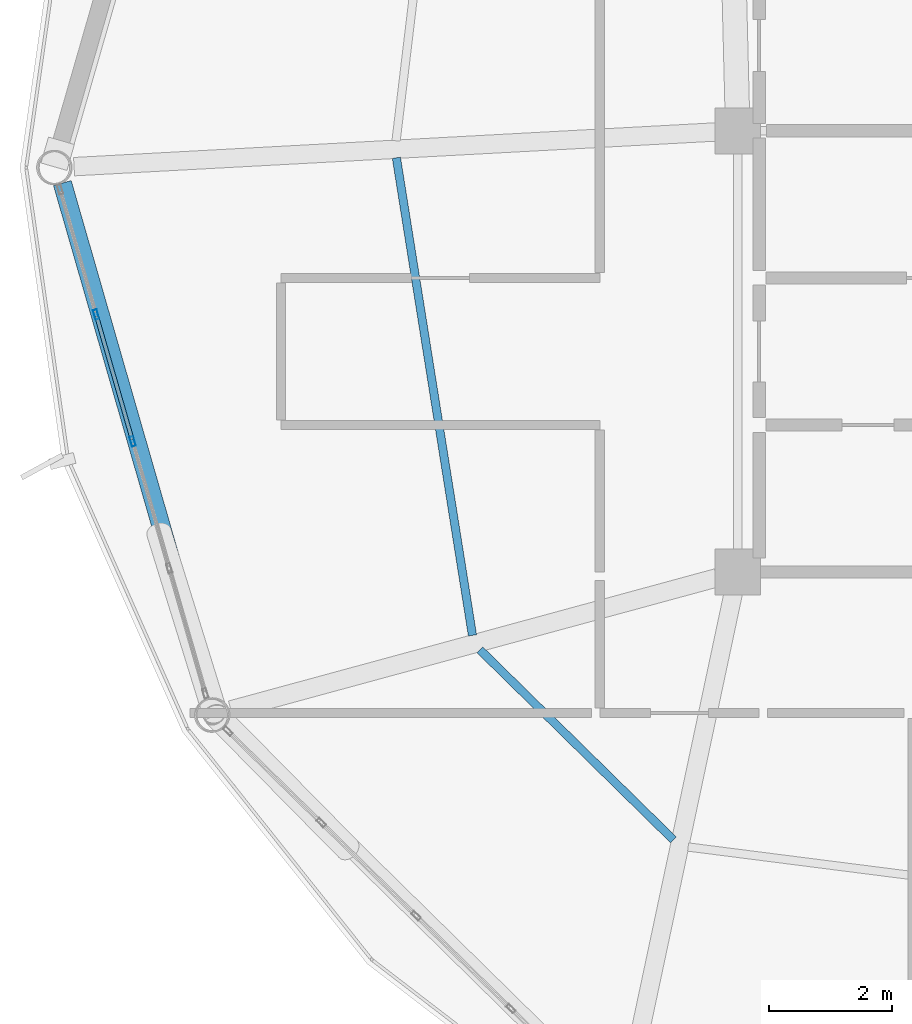
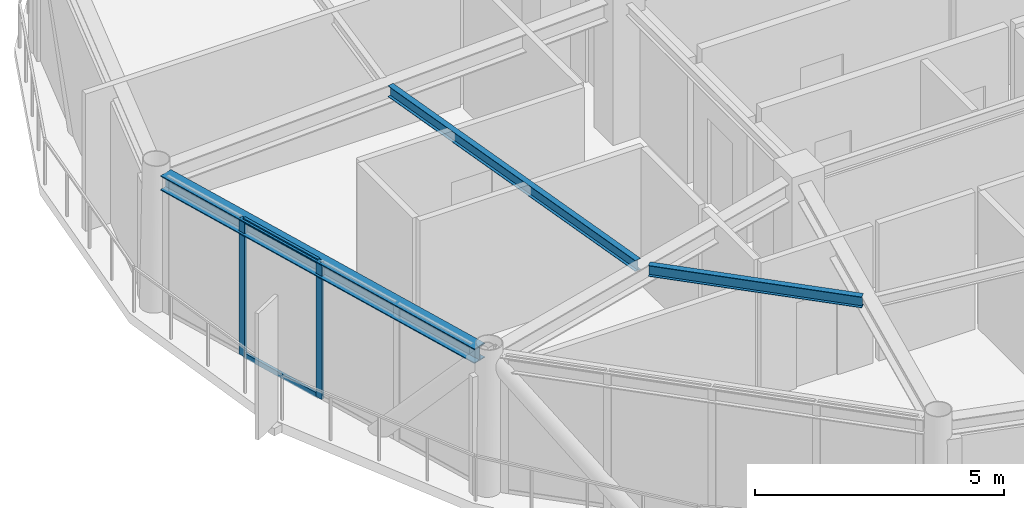
# One storey, part 5 of 26: 4 members, 3 beams, 1 element without a shape of its own.
"""IFC4 building model written with IfcOpenShell, lengths in metres."""

from ifc_helpers import new_model, si_unit, direction, frame, origin, origin_2d, place, context, subcontext, project, spatial, hollow_rectangle, i_section, extrude, material, layer, layer_set, material_profile, profile_set, type_object, element, aggregate, save


model = new_model("IFC4")

# Units and contexts
model_context = context("Model", 3, precision=1e-05, world=origin(), true_north=direction((0.0, 1.0)))
body_context = subcontext(model_context, "Body", "Model", "MODEL_VIEW")
ifc_project = project(units=[si_unit("LENGTHUNIT", "METRE"), si_unit("AREAUNIT", "SQUARE_METRE"), si_unit("VOLUMEUNIT", "CUBIC_METRE"), si_unit("PLANEANGLEUNIT", "RADIAN"), si_unit("MASSUNIT", "GRAM", prefix="KILO")], contexts=[model_context])

# Site, building, storey
site_placement = place(None, origin())
site = spatial("IfcSite", under=ifc_project, at=site_placement, CompositionType="ELEMENT")
building_placement = place(site_placement, origin())
building = spatial("IfcBuilding", under=site, at=building_placement, Name="Varnakorn Sky Granary", CompositionType="ELEMENT")
storey_placement = place(building_placement, frame((0.0, 0.0, 256.199951171875)))
storey = spatial("IfcBuildingStorey", under=building, at=storey_placement, Name="L65", CompositionType="ELEMENT", Elevation=256.199951171875)

# Beams
ifc_material_1 = material(Name="Steel S355JR", Category="steel")
ifc_material_profile_1 = material_profile(ifc_material_1, i_section(OverallWidth=0.135009765625, OverallDepth=0.27001953125, WebThickness=0.006591796875, FlangeThickness=0.01025390625, at=origin_2d()), Name="IPE 270")
ifc_profile_set_1 = profile_set([ifc_material_profile_1], Name="Steel S355JR")
beam_type_1 = type_object("IfcBeamType", Name="BM-SEC-Z5", PredefinedType="BEAM", material=ifc_profile_set_1)
beam_1_placement = place(storey_placement, frame((-7.919189453125, 0.1591796875, 3.22509765625), z_axis=(0.157314640111, -0.987548532482, 0.0), x_axis=(0.987548532482, 0.157314640111, 0.0)))
element("IfcBeam", 1, at=beam_1_placement, inside=storey, type_object=beam_type_1, Name="Secondary Floor Chord Beam MSB07 L65", PredefinedType="BEAM", context=body_context, shape_type="SweptSolid", body=[
    extrude(i_section(OverallWidth=0.135009765625, OverallDepth=0.27001953125, WebThickness=0.006591796875, FlangeThickness=0.01025390625, at=origin_2d()), origin(), (0.0, 0.0, 1.0), 7.889892578125),
])
beam_2_placement = place(storey_placement, frame((-6.555908203125, -7.868896484375, 3.22509765625), z_axis=(0.713504796152, -0.700650344942, 0.0), x_axis=(0.700650344942, 0.713504796152, 0.0)))
element("IfcBeam", 2, at=beam_2_placement, inside=storey, type_object=beam_type_1, Name="Secondary Floor Chord Beam MSB08 L65", PredefinedType="BEAM", context=body_context, shape_type="SweptSolid", body=[
    extrude(i_section(OverallWidth=0.135009765625, OverallDepth=0.27001953125, WebThickness=0.006591796875, FlangeThickness=0.01025390625, at=origin_2d()), origin(), (0.0, 0.0, 1.0), 4.42529296875),
])
ifc_material_profile_2 = material_profile(ifc_material_1, i_section(OverallWidth=0.300048828125, OverallDepth=0.360107421875, WebThickness=0.012451171875, FlangeThickness=0.0224609375, at=origin_2d()), Name="HE 360 B")
ifc_profile_set_2 = profile_set([ifc_material_profile_2], Name="Steel S355JR")
beam_type_2 = type_object("IfcBeamType", Name="BM-SPD-Z5", PredefinedType="SPANDREL", material=ifc_profile_set_2)
beam_3_placement = place(storey_placement, frame((-13.368896484375, -0.254150390625, 3.179931640625), z_axis=(0.276688121114, -0.960959772121, 0.0), x_axis=(0.960959772121, 0.276688121114, 0.0)))
element("IfcBeam", 3, at=beam_3_placement, inside=storey, type_object=beam_type_2, Name="Perimeter Spandrel Ring Beam RB07 L65", PredefinedType="SPANDREL", context=body_context, shape_type="SweptSolid", body=[
    extrude(i_section(OverallWidth=0.300048828125, OverallDepth=0.360107421875, WebThickness=0.012451171875, FlangeThickness=0.0224609375, at=origin_2d()), origin(), (0.0, 0.0, 1.0), 8.751220703125),
])

# Curtain wall, members
ifc_material_2 = material(Name="Anodised Bronze Aluminium Alloy 6063-T6", Category="aluminium")
ifc_layer = layer(ifc_material_2, 0.159912109375, Name="Anodised Bronze Aluminium Alloy 6063-T6")
ifc_layer_set = layer_set([ifc_layer], Name="Anodised Bronze Aluminium Alloy 6063-T6")
curtain_wall_type = type_object("IfcCurtainWallType", Name="CW-OFF-1", PredefinedType="USERDEFINED", material=ifc_layer_set)
curtain_wall_placement = place(storey_placement, origin())
curtain_wall = element("IfcCurtainWall", 4, at=curtain_wall_placement, inside=storey, type_object=curtain_wall_type, Name="Unitised Curtain Wall CW6 CW-L65-B07", ObjectType="CURTAIN WALL", PredefinedType="USERDEFINED")
ifc_material_profile_3 = material_profile(ifc_material_2, hollow_rectangle(XDim=0.06494140625, YDim=0.159912109375, WallThickness=0.00341796875, at=origin_2d()), Name="ALU MULL 65x160")
ifc_profile_set_3 = profile_set([ifc_material_profile_3], Name="Anodised Bronze Aluminium Alloy 6063-T6")
member_type_1 = type_object("IfcMemberType", Name="CW-OFF-1-MULL", PredefinedType="MULLION", material=ifc_profile_set_3)
member_1_placement = place(storey_placement, frame((-12.2216796875, -4.467529296875, 0.0), z_axis=(0.0, 0.0, 1.0), x_axis=(-0.960845569821, -0.277084447334, 0.0)))
member_1 = element("IfcMember", 5, at=member_1_placement, type_object=member_type_1, Name="CW6 mullion 3", PredefinedType="MULLION", context=body_context, shape_type="SweptSolid", body=[
    extrude(hollow_rectangle(XDim=0.06494140625, YDim=0.159912109375, WallThickness=0.00341796875, at=origin_2d()), origin(), (0.0, 0.0, 1.0), 3.360107421875),
])
member_2_placement = place(storey_placement, frame((-12.81884765625, -2.396728515625, 0.0), z_axis=(0.0, 0.0, 1.0), x_axis=(-0.960845569821, -0.277084447334, 0.0)))
member_2 = element("IfcMember", 6, at=member_2_placement, type_object=member_type_1, Name="CW6 mullion 4", PredefinedType="MULLION", context=body_context, shape_type="SweptSolid", body=[
    extrude(hollow_rectangle(XDim=0.06494140625, YDim=0.159912109375, WallThickness=0.00341796875, at=origin_2d()), origin(), (0.0, 0.0, 1.0), 3.360107421875),
])
ifc_material_profile_4 = material_profile(ifc_material_2, hollow_rectangle(XDim=0.06494140625, YDim=0.1201171875, WallThickness=0.00341796875, at=origin_2d()), Name="ALU TRAN 65x120")
ifc_profile_set_4 = profile_set([ifc_material_profile_4], Name="Anodised Bronze Aluminium Alloy 6063-T6")
member_type_2 = type_object("IfcMemberType", Name="CW-OFF-1-TRAN", PredefinedType="USERDEFINED", material=ifc_profile_set_4)
member_3_placement = place(storey_placement, frame((-12.230712890625, -4.436279296875, 0.032470703125), z_axis=(-0.277065258543, 0.960851103194, 0.0), x_axis=(-0.960851103194, -0.277065258543, 0.0)))
member_3 = element("IfcMember", 7, at=member_3_placement, type_object=member_type_2, Name="CW6 transom 3.1", ObjectType="TRANSOM", PredefinedType="USERDEFINED", context=body_context, shape_type="SweptSolid", body=[
    extrude(hollow_rectangle(XDim=0.06494140625, YDim=0.1201171875, WallThickness=0.00341796875, at=origin_2d()), origin(), (0.0, 0.0, 1.0), 2.090087890625),
])
member_4_placement = place(storey_placement, frame((-12.230712890625, -4.436279296875, 3.32763671875), z_axis=(-0.277065258543, 0.960851103194, 0.0), x_axis=(-0.960851103194, -0.277065258543, 0.0)))
member_4 = element("IfcMember", 8, at=member_4_placement, type_object=member_type_2, Name="CW6 transom 3.2", ObjectType="TRANSOM", PredefinedType="USERDEFINED", context=body_context, shape_type="SweptSolid", body=[
    extrude(hollow_rectangle(XDim=0.06494140625, YDim=0.1201171875, WallThickness=0.00341796875, at=origin_2d()), origin(), (0.0, 0.0, 1.0), 2.090087890625),
])
aggregate(curtain_wall, [member_1, member_2, member_3, member_4])

save(model, "model.ifc")
